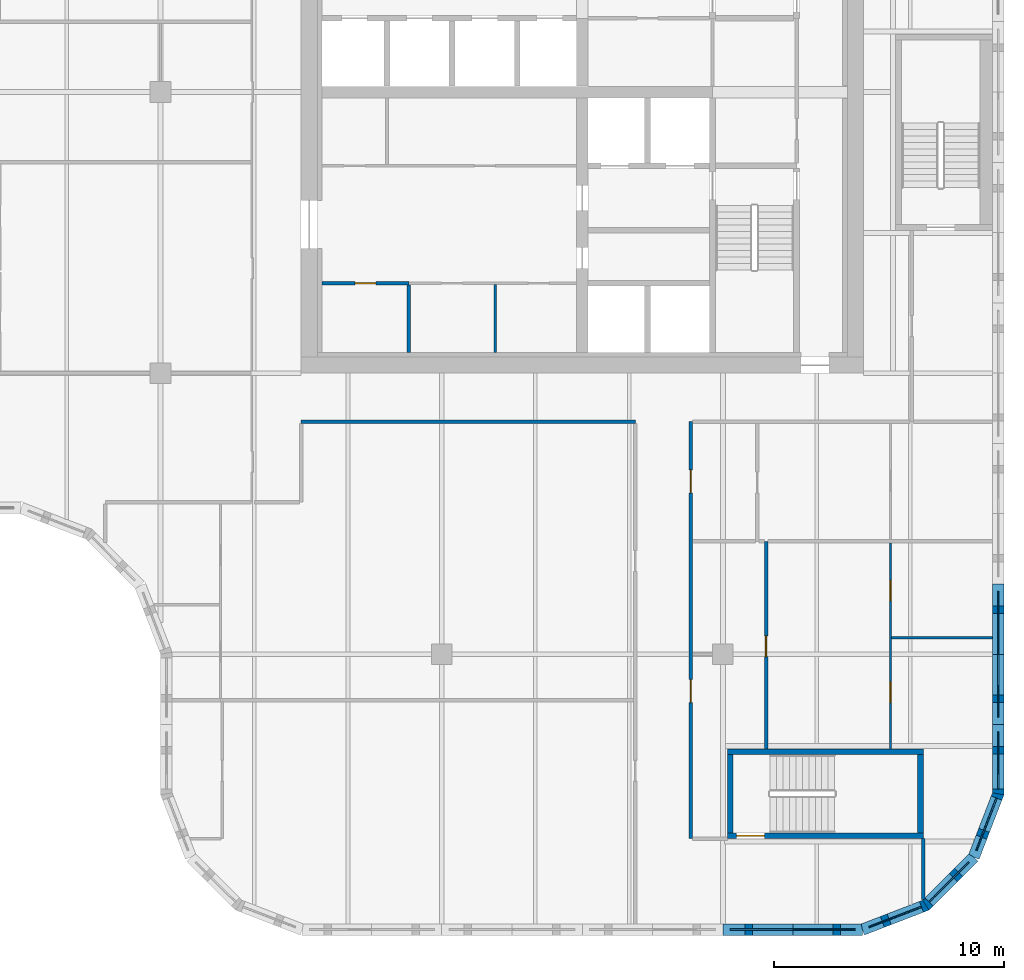
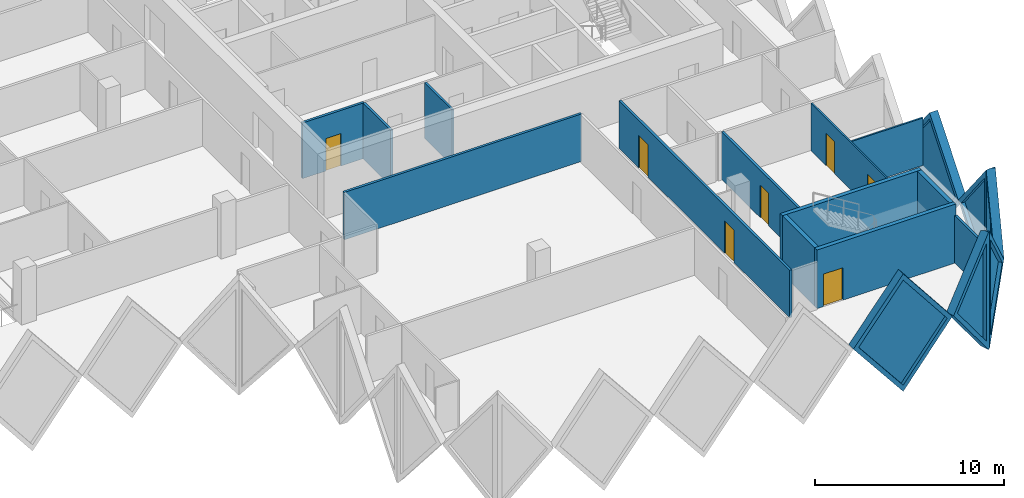
# One storey, part 5 of 12: 19 walls, 7 doors, 6 plates, 13 openings.
"""IFC4 building model written with IfcOpenShell, lengths in metres."""

from ifc_helpers import new_model, si_unit, direction, frame, frame_2d, origin, place, context, subcontext, project, spatial, polyline, rectangle, outline, extrude, faceted_brep, source, transform, mapped, material, layer, layer_set, type_object, element, fill, save


model = new_model("IFC4")

# Units and contexts
model_context = context("Model", 3, precision=1e-05, world=origin(), true_north=direction((0.0, 1.0)))
body_context = subcontext(model_context, "Body", "Model", "MODEL_VIEW")
ifc_project = project(units=[si_unit("LENGTHUNIT", "METRE"), si_unit("AREAUNIT", "SQUARE_METRE"), si_unit("VOLUMEUNIT", "CUBIC_METRE"), si_unit("PLANEANGLEUNIT", "RADIAN"), si_unit("MASSUNIT", "GRAM", prefix="KILO")], contexts=[model_context])

# Site, building, storey
site_placement = place(None, origin())
site = spatial("IfcSite", under=ifc_project, at=site_placement, CompositionType="ELEMENT")
building_placement = place(site_placement, origin())
building = spatial("IfcBuilding", under=site, at=building_placement, Name="Tessera Gate Towers", CompositionType="ELEMENT")
storey_placement = place(building_placement, frame((0.0, 0.0, 139.199951171875)))
storey = spatial("IfcBuildingStorey", under=building, at=storey_placement, Name="L34", CompositionType="ELEMENT", Elevation=139.199951171875)

# Wall, opening, door
ifc_material_1 = material(Name="Concrete C40/50", Category="concrete")
ifc_layer_1 = layer(ifc_material_1, 0.25)
ifc_layer_set_1 = layer_set([ifc_layer_1], Name="CORE ENCLOSURE WALL 250")
wall_type_1 = type_object("IfcWallType", Name="CORE ENCLOSURE WALL 250", PredefinedType="SOLIDWALL", material=ifc_layer_set_1)
wall_1_placement = place(storey_placement, frame((57.5, 4.324951171875, 0.0), z_axis=(0.0, 0.0, 1.0), x_axis=(-1.0, 0.0, 0.0)))
wall_1 = element("IfcWall", 1, at=wall_1_placement, inside=storey, type_object=wall_type_1, Name="L34 ST4 enclosure wall", PredefinedType="SOLIDWALL", context=body_context, shape_type="SweptSolid", body=[
    extrude(rectangle(XDim=8.5, YDim=0.25, at=frame_2d((4.25, 0.0))), origin(), (0.0, 0.0, 1.0), 3.800048828125),
])
shared_shape_1 = source(origin(), body_context, "Body", "SweptSolid", [
    extrude(rectangle(XDim=1.199951171875, YDim=2.10009765625, at=frame_2d((0.60009765625, 1.050048828125))), frame((0.0, 0.135009765625, 0.0), z_axis=(0.0, -1.0, 0.0), x_axis=(1.0, 0.0, 0.0)), (0.0, 0.0, 1.0), 0.27001953125),
])
opening_1_placement = place(wall_1_placement, frame((6.89990234375, 0.0, 0.0)))
opening_1 = element("IfcOpeningElement", 2, at=opening_1_placement, cuts=wall_1, Name="Opening SD-ST4-1", PredefinedType="OPENING", context=body_context, shape_type="MappedRepresentation", body=[
    mapped(shared_shape_1, transform((0.0, 0.0, 0.0), scale=1.0)),
])
ifc_material_2 = material(Name="Hollow steel fire door", Category="steel")
door_type_1 = type_object("IfcDoorType", Name="CORE DOOR SD 1200x2100", OperationType="NOTDEFINED", PredefinedType="DOOR", material=ifc_material_2)
shared_shape_2 = source(origin(), body_context, "Body", "SweptSolid", [
    extrude(rectangle(XDim=1.199951171875, YDim=2.10009765625, at=frame_2d((0.60009765625, 1.050048828125))), frame((0.0, 0.02490234375, 0.0), z_axis=(0.0, -1.0, 0.0), x_axis=(1.0, 0.0, 0.0)), (0.0, 0.0, 1.0), 0.050048828125),
])
door_1_placement = place(opening_1_placement, origin())
door_1 = element("IfcDoor", 3, at=door_1_placement, inside=storey, type_object=door_type_1, Name="Stair door", OperationType="SINGLE_SWING_RIGHT", OverallHeight=2.10009765625, OverallWidth=1.199951171875, PredefinedType="DOOR", context=body_context, shape_type="MappedRepresentation", body=[
    mapped(shared_shape_2, transform((0.0, 0.0, 0.0), scale=1.0)),
])
fill(opening_1, door_1)

# Walls
wall_2_placement = place(storey_placement, frame((49.125, 4.449951171875, 0.0), z_axis=(0.0, 0.0, 1.0), x_axis=(0.0, 1.0, 0.0)))
element("IfcWall", 4, at=wall_2_placement, inside=storey, type_object=wall_type_1, Name="L34 ST4 enclosure wall", PredefinedType="SOLIDWALL", context=body_context, shape_type="SweptSolid", body=[
    extrude(rectangle(XDim=3.400146484375, YDim=0.25, at=frame_2d((1.7001953125, 0.0))), origin(), (0.0, 0.0, 1.0), 3.800048828125),
])
wall_3_placement = place(storey_placement, frame((49.0, 7.97509765625, 0.0), z_axis=(0.0, 0.0, 1.0), x_axis=(1.0, 0.0, 0.0)))
element("IfcWall", 5, at=wall_3_placement, inside=storey, type_object=wall_type_1, Name="L34 ST4 enclosure wall", PredefinedType="SOLIDWALL", context=body_context, shape_type="SweptSolid", body=[
    extrude(rectangle(XDim=8.5, YDim=0.25, at=frame_2d((4.25, 0.0))), origin(), (0.0, 0.0, 1.0), 3.800048828125),
])
wall_4_placement = place(storey_placement, frame((57.375, 7.85009765625, 0.0), z_axis=(0.0, 0.0, 1.0), x_axis=(0.0, -1.0, 0.0)))
element("IfcWall", 6, at=wall_4_placement, inside=storey, type_object=wall_type_1, Name="L34 ST4 enclosure wall", PredefinedType="SOLIDWALL", context=body_context, shape_type="SweptSolid", body=[
    extrude(rectangle(XDim=3.400146484375, YDim=0.25, at=frame_2d((1.7001953125, 0.0))), origin(), (0.0, 0.0, 1.0), 3.800048828125),
])
ifc_material_3 = material(Name="Gypsum board on steel studs", Category="steel")
ifc_layer_2 = layer(ifc_material_3, 0.1201171875)
ifc_layer_set_2 = layer_set([ifc_layer_2], Name="CORE PARTITION 120")
wall_type_2 = type_object("IfcWallType", Name="CORE PARTITION 120", PredefinedType="PARTITIONING", material=ifc_layer_set_2)
wall_5_placement = place(storey_placement, frame((38.925048828125, 25.300048828125, 0.0), z_axis=(0.0, 0.0, 1.0), x_axis=(0.0, 1.0, 0.0)))
element("IfcWall", 7, at=wall_5_placement, inside=storey, type_object=wall_type_2, Name="L34 core partition", PredefinedType="PARTITIONING", context=body_context, shape_type="SweptSolid", body=[
    extrude(rectangle(XDim=2.93994140625, YDim=0.1201171875, at=frame_2d((1.469970703125, 0.0))), origin(), (0.0, 0.0, 1.0), 3.60009765625),
])
ifc_material_4 = material(Name="Gypsum board on steel studs, mineral wool", Category="steel")
ifc_layer_3 = layer(ifc_material_4, 0.14990234375)
ifc_layer_set_3 = layer_set([ifc_layer_3], Name="CORRIDOR WALL 150")
wall_type_3 = type_object("IfcWallType", Name="CORRIDOR WALL 150", PredefinedType="PARTITIONING", material=ifc_layer_set_3)
wall_6_placement = place(storey_placement, frame((57.5, 1.55908203125, 0.0), z_axis=(0.0, 0.0, 1.0), x_axis=(0.0, 1.0, 0.0)))
element("IfcWall", 8, at=wall_6_placement, inside=storey, type_object=wall_type_3, Name="T1-L34-PW-002", PredefinedType="PARTITIONING", context=body_context, shape_type="SweptSolid", body=[
    extrude(rectangle(XDim=2.640869140625, YDim=0.14990234375, at=frame_2d((1.3203125, 0.0))), origin(), (0.0, 0.0, 1.0), 3.067138671875),
])

# Wall, openings, doors
wall_7_placement = place(storey_placement, frame((47.39990234375, 22.300048828125, 0.0), z_axis=(0.0, 0.0, 1.0), x_axis=(0.0, -1.0, 0.0)))
wall_7 = element("IfcWall", 9, at=wall_7_placement, inside=storey, type_object=wall_type_3, Name="T1-L34-PW-005", PredefinedType="PARTITIONING", context=body_context, shape_type="SweptSolid", body=[
    extrude(rectangle(XDim=18.10009765625, YDim=0.14990234375, at=frame_2d((9.050048828125, 0.0))), origin(), (0.0, 0.0, 1.0), 3.067138671875),
])
shared_shape_3 = source(origin(), body_context, "Body", "SweptSolid", [
    extrude(rectangle(XDim=1.0, YDim=2.10009765625, at=frame_2d((0.5, 1.050048828125))), frame((0.0, 0.0849609375, 0.0), z_axis=(0.0, -1.0, 0.0), x_axis=(1.0, 0.0, 0.0)), (0.0, 0.0, 1.0), 0.169921875),
])
opening_2_placement = place(wall_7_placement, frame((2.09912109375, 0.0, 0.0)))
opening_2 = element("IfcOpeningElement", 10, at=opening_2_placement, cuts=wall_7, Name="Opening D2100FD60-A12-01", PredefinedType="OPENING", context=body_context, shape_type="MappedRepresentation", body=[
    mapped(shared_shape_3, transform((0.0, 0.0, 0.0), scale=1.0)),
])
opening_3_placement = place(wall_7_placement, frame((11.199951171875, 0.0, 0.0)))
opening_3 = element("IfcOpeningElement", 11, at=opening_3_placement, cuts=wall_7, Name="Opening D2100FD60-A12-04", PredefinedType="OPENING", context=body_context, shape_type="MappedRepresentation", body=[
    mapped(shared_shape_3, transform((0.0, 0.0, 0.0), scale=1.0)),
])
ifc_material_5 = material(Name="Timber door leaf in steel frame", Category="steel")
door_type_2 = type_object("IfcDoorType", Name="TENANCY ENTRANCE DOOR 1000 FD60", OperationType="NOTDEFINED", PredefinedType="DOOR", material=ifc_material_5)
shared_shape_4 = source(origin(), body_context, "Body", "SweptSolid", [
    extrude(rectangle(XDim=1.0, YDim=2.10009765625, at=frame_2d((0.5, 1.050048828125))), frame((0.0, 0.02490234375, 0.0), z_axis=(0.0, -1.0, 0.0), x_axis=(1.0, 0.0, 0.0)), (0.0, 0.0, 1.0), 0.050048828125),
])
door_2_placement = place(opening_2_placement, origin())
door_2 = element("IfcDoor", 12, at=door_2_placement, inside=storey, type_object=door_type_2, Name="T1-L34-PD-014", OperationType="SINGLE_SWING_RIGHT", OverallHeight=2.10009765625, OverallWidth=1.0, PredefinedType="DOOR", context=body_context, shape_type="MappedRepresentation", body=[
    mapped(shared_shape_4, transform((0.0, 0.0, 0.0), scale=1.0)),
])
fill(opening_2, door_2)
door_3_placement = place(opening_3_placement, origin())
door_3 = element("IfcDoor", 13, at=door_3_placement, inside=storey, type_object=door_type_2, Name="T1-L34-PD-031", OperationType="SINGLE_SWING_RIGHT", OverallHeight=2.10009765625, OverallWidth=1.0, PredefinedType="DOOR", context=body_context, shape_type="MappedRepresentation", body=[
    mapped(shared_shape_4, transform((0.0, 0.0, 0.0), scale=1.0)),
])
fill(opening_3, door_3)

# Wall
wall_8_placement = place(storey_placement, frame((30.5, 22.300048828125, 0.0), z_axis=(0.0, 0.0, 1.0), x_axis=(1.0, 0.0, 0.0)))
element("IfcWall", 14, at=wall_8_placement, inside=storey, type_object=wall_type_3, Name="T1-L34-PW-026", PredefinedType="PARTITIONING", context=body_context, shape_type="SweptSolid", body=[
    extrude(rectangle(XDim=14.5, YDim=0.14990234375, at=frame_2d((7.25, 0.0))), origin(), (0.0, 0.0, 1.0), 3.067138671875),
])

# Wall, openings, doors
ifc_material_6 = material(Name="Gypsum board on steel studs", Category="steel")
ifc_layer_4 = layer(ifc_material_6, 0.10009765625)
ifc_layer_set_4 = layer_set([ifc_layer_4], Name="PARTITION 100")
wall_type_4 = type_object("IfcWallType", Name="PARTITION 100", PredefinedType="PARTITIONING", material=ifc_layer_set_4)
wall_9_placement = place(storey_placement, frame((56.076904296875, 17.02392578125, 0.0), z_axis=(0.0, 0.0, 1.0), x_axis=(0.0, -1.0, 0.0)))
wall_9 = element("IfcWall", 15, at=wall_9_placement, inside=storey, type_object=wall_type_4, Name="T1-L34-PW-008", PredefinedType="PARTITIONING", context=body_context, shape_type="SweptSolid", body=[
    extrude(rectangle(XDim=8.923828125, YDim=0.10009765625, at=frame_2d((4.4619140625, 0.0))), origin(), (0.0, 0.0, 1.0), 3.067138671875),
])
shared_shape_5 = source(origin(), body_context, "Body", "SweptSolid", [
    extrude(rectangle(XDim=0.89990234375, YDim=2.10009765625, at=frame_2d((0.449951171875, 1.050048828125))), frame((0.0, 0.06005859375, 0.0), z_axis=(0.0, -1.0, 0.0), x_axis=(1.0, 0.0, 0.0)), (0.0, 0.0, 1.0), 0.1201171875),
])
opening_4_placement = place(wall_9_placement, frame((1.60791015625, 0.0, 0.0)))
opening_4 = element("IfcOpeningElement", 16, at=opening_4_placement, cuts=wall_9, Name="Opening D190-A12-02", PredefinedType="OPENING", context=body_context, shape_type="MappedRepresentation", body=[
    mapped(shared_shape_5, transform((0.0, 0.0, 0.0), scale=1.0)),
])
opening_5_placement = place(wall_9_placement, frame((6.02392578125, 0.0, 0.0)))
opening_5 = element("IfcOpeningElement", 17, at=opening_5_placement, cuts=wall_9, Name="Opening D190-A12-08", PredefinedType="OPENING", context=body_context, shape_type="MappedRepresentation", body=[
    mapped(shared_shape_5, transform((0.0, 0.0, 0.0), scale=1.0)),
])
ifc_material_7 = material(Name="Timber door leaf in steel frame", Category="steel")
door_type_3 = type_object("IfcDoorType", Name="INTERNAL DOOR 900 NOT RATED", OperationType="NOTDEFINED", PredefinedType="DOOR", material=ifc_material_7)
shared_shape_6 = source(origin(), body_context, "Body", "SweptSolid", [
    extrude(rectangle(XDim=0.89990234375, YDim=2.10009765625, at=frame_2d((0.449951171875, 1.050048828125))), frame((0.0, 0.02490234375, 0.0), z_axis=(0.0, -1.0, 0.0), x_axis=(1.0, 0.0, 0.0)), (0.0, 0.0, 1.0), 0.050048828125),
])
door_4_placement = place(opening_4_placement, origin())
door_4 = element("IfcDoor", 18, at=door_4_placement, inside=storey, type_object=door_type_3, Name="T1-L34-PD-003", OperationType="SINGLE_SWING_RIGHT", OverallHeight=2.10009765625, OverallWidth=0.89990234375, PredefinedType="DOOR", context=body_context, shape_type="MappedRepresentation", body=[
    mapped(shared_shape_6, transform((0.0, 0.0, 0.0), scale=1.0)),
])
fill(opening_4, door_4)
door_5_placement = place(opening_5_placement, origin())
door_5 = element("IfcDoor", 19, at=door_5_placement, inside=storey, type_object=door_type_3, Name="T1-L34-PD-011", OperationType="SINGLE_SWING_RIGHT", OverallHeight=2.10009765625, OverallWidth=0.89990234375, PredefinedType="DOOR", context=body_context, shape_type="MappedRepresentation", body=[
    mapped(shared_shape_6, transform((0.0, 0.0, 0.0), scale=1.0)),
])
fill(opening_5, door_5)

# Wall
wall_10_placement = place(storey_placement, frame((56.1279296875, 12.9150390625, 0.0), z_axis=(0.0, 0.0, 1.0), x_axis=(1.0, 0.0, 0.0)))
element("IfcWall", 20, at=wall_10_placement, inside=storey, type_object=wall_type_4, Name="T1-L34-PW-013", PredefinedType="PARTITIONING", context=body_context, shape_type="SweptSolid", body=[
    extrude(rectangle(XDim=4.3720703125, YDim=0.10009765625, at=frame_2d((2.18603515625, 0.0))), origin(), (0.0, 0.0, 1.0), 3.067138671875),
])

# Wall, opening, door
ifc_material_8 = material(Name="Gypsum board on steel studs", Category="steel")
ifc_layer_5 = layer(ifc_material_8, 0.14990234375)
ifc_layer_set_5 = layer_set([ifc_layer_5], Name="SERVICE ROOM WALL 150")
wall_type_5 = type_object("IfcWallType", Name="SERVICE ROOM WALL 150", PredefinedType="PARTITIONING", material=ifc_layer_set_5)
wall_11_placement = place(storey_placement, frame((35.175048828125, 28.300048828125, 0.0), z_axis=(0.0, 0.0, 1.0), x_axis=(-1.0, 0.0, 0.0)))
wall_11 = element("IfcWall", 21, at=wall_11_placement, inside=storey, type_object=wall_type_5, Name="L34 service room wall", PredefinedType="PARTITIONING", context=body_context, shape_type="SweptSolid", body=[
    extrude(rectangle(XDim=3.775146484375, YDim=0.14990234375, at=frame_2d((1.8876953125, 0.0))), origin(), (0.0, 0.0, 1.0), 3.60009765625),
])
shared_shape_7 = source(origin(), body_context, "Body", "SweptSolid", [
    extrude(rectangle(XDim=0.89990234375, YDim=2.10009765625, at=frame_2d((0.449951171875, 1.050048828125))), frame((0.0, 0.0849609375, 0.0), z_axis=(0.0, -1.0, 0.0), x_axis=(1.0, 0.0, 0.0)), (0.0, 0.0, 1.0), 0.169921875),
])
opening_6_placement = place(wall_11_placement, frame((1.4375, 0.0, 0.0)))
opening_6 = element("IfcOpeningElement", 22, at=opening_6_placement, cuts=wall_11, Name="Opening RD-T1-23-13", PredefinedType="OPENING", context=body_context, shape_type="MappedRepresentation", body=[
    mapped(shared_shape_7, transform((0.0, 0.0, 0.0), scale=1.0)),
])
ifc_material_9 = material(Name="Hollow steel fire door", Category="steel")
door_type_4 = type_object("IfcDoorType", Name="CORE DOOR RD 900x2100", OperationType="NOTDEFINED", PredefinedType="DOOR", material=ifc_material_9)
door_6_placement = place(opening_6_placement, origin())
door_6 = element("IfcDoor", 23, at=door_6_placement, inside=storey, type_object=door_type_4, Name="Core room door", OperationType="SINGLE_SWING_LEFT", OverallHeight=2.10009765625, OverallWidth=0.89990234375, PredefinedType="DOOR", context=body_context, shape_type="MappedRepresentation", body=[
    mapped(shared_shape_6, transform((0.0, 0.0, 0.0), scale=1.0)),
])
fill(opening_6, door_6)

# Wall
wall_12_placement = place(storey_placement, frame((35.175048828125, 25.300048828125, 0.0), z_axis=(0.0, 0.0, 1.0), x_axis=(0.0, 1.0, 0.0)))
element("IfcWall", 24, at=wall_12_placement, inside=storey, type_object=wall_type_5, Name="L34 service room wall", PredefinedType="PARTITIONING", context=body_context, shape_type="SweptSolid", body=[
    extrude(rectangle(XDim=2.925048828125, YDim=0.14990234375, at=frame_2d((1.46240234375, 0.0))), origin(), (0.0, 0.0, 1.0), 3.60009765625),
])

# Wall, opening, door
ifc_material_10 = material(Name="Gypsum board on steel studs, mineral wool", Category="steel")
ifc_layer_6 = layer(ifc_material_10, 0.14990234375)
ifc_layer_set_6 = layer_set([ifc_layer_6], Name="TENANCY WALL 150")
wall_type_6 = type_object("IfcWallType", Name="TENANCY WALL 150", PredefinedType="PARTITIONING", material=ifc_layer_set_6)
wall_13_placement = place(storey_placement, frame((50.675048828125, 17.10009765625, 0.0), z_axis=(0.0, 0.0, 1.0), x_axis=(0.0, -1.0, 0.0)))
wall_13 = element("IfcWall", 25, at=wall_13_placement, inside=storey, type_object=wall_type_6, Name="T1-L34-PW-007", PredefinedType="PARTITIONING", context=body_context, shape_type="SweptSolid", body=[
    extrude(rectangle(XDim=9.0, YDim=0.14990234375, at=frame_2d((4.5, 0.0))), origin(), (0.0, 0.0, 1.0), 3.067138671875),
])
opening_7_placement = place(wall_13_placement, frame((4.10009765625, 0.0, 0.0)))
opening_7 = element("IfcOpeningElement", 26, at=opening_7_placement, cuts=wall_13, Name="Opening D190-A12-15", PredefinedType="OPENING", context=body_context, shape_type="MappedRepresentation", body=[
    mapped(shared_shape_7, transform((0.0, 0.0, 0.0), scale=1.0)),
])
door_7_placement = place(opening_7_placement, origin())
door_7 = element("IfcDoor", 27, at=door_7_placement, inside=storey, type_object=door_type_3, Name="T1-L34-PD-026", OperationType="SINGLE_SWING_RIGHT", OverallHeight=2.10009765625, OverallWidth=0.89990234375, PredefinedType="DOOR", context=body_context, shape_type="MappedRepresentation", body=[
    mapped(shared_shape_6, transform((0.0, 0.0, 0.0), scale=1.0)),
])
fill(opening_7, door_7)

# Wall, opening, plate
ifc_material_11 = material(Name="Precast concrete C60/75 white", Category="concrete")
ifc_layer_7 = layer(ifc_material_11, 0.5)
ifc_layer_set_7 = layer_set([ifc_layer_7], Name="TS1 tessera")
wall_type_7 = type_object("IfcWallType", Name="TS1 tessera", PredefinedType="SOLIDWALL", material=ifc_layer_set_7)
shared_shape_8 = source(origin(), body_context, "Body", "SweptSolid", [
    extrude(outline(polyline([(3.050048828125, 0.0), (6.10009765625, 3.800048828125), (3.050048828125, 7.60009765625), (0.0, 3.800048828125), (3.050048828125, 0.0)])), frame((0.0, 0.25, 0.0), z_axis=(0.0, -1.0, 0.0), x_axis=(1.0, 0.0, 0.0)), (0.0, 0.0, 1.0), 0.5),
])
wall_14_placement = place(storey_placement, frame((60.75, 9.14990234375, -3.800048828125), z_axis=(0.0, 0.0, 1.0), x_axis=(0.0, 1.0, 0.0)))
wall_14 = element("IfcWall", 28, at=wall_14_placement, inside=storey, type_object=wall_type_7, Name="Precast tessera T1 TS1-0579", PredefinedType="SOLIDWALL", context=body_context, shape_type="MappedRepresentation", body=[
    mapped(shared_shape_8, transform((0.0, 0.0, 0.0), scale=1.0)),
])
shared_shape_9 = source(origin(), body_context, "Body", "SweptSolid", [
    extrude(outline(polyline([(3.050048828125, 0.3994140625), (5.779541015625, 3.800048828125), (3.050048828125, 7.20068359375), (0.320556640625, 3.800048828125), (3.050048828125, 0.3994140625)])), frame((0.0, 0.260009765625, 0.0), z_axis=(0.0, -1.0, 0.0), x_axis=(1.0, 0.0, 0.0)), (0.0, 0.0, 1.0), 0.52001953125),
])
opening_8_placement = place(wall_14_placement, origin())
opening_8 = element("IfcOpeningElement", 29, at=opening_8_placement, cuts=wall_14, Name="Opening T1-PL2-1183", PredefinedType="OPENING", context=body_context, shape_type="MappedRepresentation", body=[
    mapped(shared_shape_9, transform((0.0, 0.0, 0.0), scale=1.0)),
])
ifc_material_12 = material(Name="Low-e laminated glass", Category="glass")
ifc_layer_8 = layer(ifc_material_12, 0.06005859375)
ifc_layer_set_8 = layer_set([ifc_layer_8], Name="PL2 rhombic pane")
plate_type = type_object("IfcPlateType", Name="PL2 rhombic pane", PredefinedType="SHEET", material=ifc_layer_set_8)
shared_shape_10 = source(origin(), body_context, "Body", "SweptSolid", [
    extrude(outline(polyline([(3.050048828125, 0.3994140625), (5.779541015625, 3.800048828125), (3.050048828125, 7.20068359375), (0.320556640625, 3.800048828125), (3.050048828125, 0.3994140625)])), frame((0.0, 0.030029296875, 0.0), z_axis=(0.0, -1.0, 0.0), x_axis=(1.0, 0.0, 0.0)), (0.0, 0.0, 1.0), 0.06005859375),
])
plate_1_placement = place(opening_8_placement, origin())
plate_1 = element("IfcPlate", 30, at=plate_1_placement, inside=storey, type_object=plate_type, Name="Glass pane T1 PL2-1183", PredefinedType="SHEET", context=body_context, shape_type="MappedRepresentation", body=[
    mapped(shared_shape_10, transform((0.0, 0.0, 0.0), scale=1.0)),
])
fill(opening_8, plate_1)

shared_shape_11 = source(origin(), body_context, "Body", "Brep", [
    faceted_brep([(3.050048828125, -0.25, 0.0), (6.053466796875, -0.25, 3.800048828125), (3.050048828125, -0.25, 7.60009765625), (0.0, -0.25, 3.800048828125), (0.0, 0.25, 3.800048828125), (3.050048828125, 0.25, 7.60009765625), (6.0068359375, 0.25, 3.85888671875), (6.0068359375, 0.25, 3.7412109375), (3.050048828125, 0.25, 0.0), (6.053466796875, 0.0, 3.800048828125)], [[[0, 1, 2, 3]], [[4, 5, 6, 7, 8]], [[8, 7, 9, 1, 0]], [[6, 5, 2, 1, 9]], [[5, 4, 3, 2]], [[4, 8, 0, 3]], [[9, 7, 6]]]),
])
wall_15_placement = place(storey_placement, frame((48.800048828125, 0.25, -3.800048828125), z_axis=(0.0, 0.0, 1.0), x_axis=(1.0, 0.0, 0.0)))
wall_15 = element("IfcWall", 31, at=wall_15_placement, inside=storey, type_object=wall_type_7, Name="Precast tessera T1 TS1-0578", PredefinedType="SOLIDWALL", context=body_context, shape_type="MappedRepresentation", body=[
    mapped(shared_shape_11, transform((0.0, 0.0, 0.0), scale=1.0)),
])
shared_shape_12 = source(origin(), body_context, "Body", "SweptSolid", [
    extrude(outline(polyline([(3.048583984375, 0.4013671875), (5.73486328125, 3.800048828125), (3.048583984375, 7.19873046875), (0.320556640625, 3.800048828125), (3.048583984375, 0.4013671875)])), frame((0.0, 0.260009765625, 0.0), z_axis=(0.0, -1.0, 0.0), x_axis=(1.0, 0.0, 0.0)), (0.0, 0.0, 1.0), 0.52001953125),
])
opening_9_placement = place(wall_15_placement, origin())
opening_9 = element("IfcOpeningElement", 32, at=opening_9_placement, cuts=wall_15, Name="Opening T1-PL2-1178", PredefinedType="OPENING", context=body_context, shape_type="MappedRepresentation", body=[
    mapped(shared_shape_12, transform((0.0, 0.0, 0.0), scale=1.0)),
])
shared_shape_13 = source(origin(), body_context, "Body", "SweptSolid", [
    extrude(outline(polyline([(3.048583984375, 0.4013671875), (5.73486328125, 3.800048828125), (3.048583984375, 7.19873046875), (0.320556640625, 3.800048828125), (3.048583984375, 0.4013671875)])), frame((0.0, 0.030029296875, 0.0), z_axis=(0.0, -1.0, 0.0), x_axis=(1.0, 0.0, 0.0)), (0.0, 0.0, 1.0), 0.06005859375),
])
plate_2_placement = place(opening_9_placement, origin())
plate_2 = element("IfcPlate", 33, at=plate_2_placement, inside=storey, type_object=plate_type, Name="Glass pane T1 PL2-1178", PredefinedType="SHEET", context=body_context, shape_type="MappedRepresentation", body=[
    mapped(shared_shape_13, transform((0.0, 0.0, 0.0), scale=1.0)),
])
fill(opening_9, plate_2)

ifc_material_13 = material(Name="Precast concrete C60/75 white", Category="concrete")
ifc_layer_9 = layer(ifc_material_13, 0.5)
ifc_layer_set_9 = layer_set([ifc_layer_9], Name="TS3 corner tessera")
wall_type_8 = type_object("IfcWallType", Name="TS3 corner tessera", PredefinedType="SOLIDWALL", material=ifc_layer_set_9)
shared_shape_14 = source(origin(), body_context, "Body", "Brep", [
    faceted_brep([(2.950439453125, -0.25, 0.0), (3.00341796875, -0.25, 0.068359375), (3.00341796875, -0.25, 7.53173828125), (2.950439453125, -0.25, 7.60009765625), (0.0, -0.25, 3.800048828125), (0.046630859375, 0.25, 3.860107421875), (2.897705078125, 0.25, 7.531982421875), (2.897705078125, 0.25, 0.068115234375), (0.046630859375, 0.25, 3.739990234375), (2.950439453125, 0.00048828125, 0.0), (2.950439453125, 0.00048828125, 7.60009765625), (0.0, 0.0, 3.800048828125)], [[[0, 1, 2, 3, 4]], [[5, 6, 7, 8]], [[1, 0, 9]], [[10, 3, 2]], [[6, 5, 11, 4, 3, 10]], [[8, 7, 9, 0, 4, 11]], [[8, 11, 5]], [[1, 9, 7, 6, 10, 2]]]),
])
wall_16_placement = place(storey_placement, frame((54.853515625, 0.25, -3.800048828125), z_axis=(0.0, 0.0, 1.0), x_axis=(0.932970071518, 0.359953949349, 0.0)))
wall_16 = element("IfcWall", 34, at=wall_16_placement, inside=storey, type_object=wall_type_8, Name="Precast corner tessera T1 TS3-0769", PredefinedType="SOLIDWALL", context=body_context, shape_type="MappedRepresentation", body=[
    mapped(shared_shape_14, transform((0.0, 0.0, 0.0), scale=1.0)),
])
shared_shape_15 = source(origin(), body_context, "Body", "SweptSolid", [
    extrude(outline(polyline([(2.75048828125, 6.934814453125), (0.31640625, 3.800048828125), (2.75048828125, 0.665283203125), (2.75048828125, 6.934814453125)])), frame((0.0, 0.260009765625, 0.0), z_axis=(0.0, -1.0, 0.0), x_axis=(1.0, 0.0, 0.0)), (0.0, 0.0, 1.0), 0.52001953125),
])
opening_10_placement = place(wall_16_placement, origin())
opening_10 = element("IfcOpeningElement", 35, at=opening_10_placement, cuts=wall_16, Name="Opening T1-PL2-1179", PredefinedType="OPENING", context=body_context, shape_type="MappedRepresentation", body=[
    mapped(shared_shape_15, transform((0.0, 0.0, 0.0), scale=1.0)),
])
shared_shape_16 = source(origin(), body_context, "Body", "SweptSolid", [
    extrude(outline(polyline([(2.75048828125, 6.934814453125), (0.31640625, 3.800048828125), (2.75048828125, 0.665283203125), (2.75048828125, 6.934814453125)])), frame((0.0, 0.030029296875, 0.0), z_axis=(0.0, -1.0, 0.0), x_axis=(1.0, 0.0, 0.0)), (0.0, 0.0, 1.0), 0.06005859375),
])
plate_3_placement = place(opening_10_placement, origin())
plate_3 = element("IfcPlate", 36, at=plate_3_placement, inside=storey, type_object=plate_type, Name="Glass pane T1 PL2-1179", PredefinedType="SHEET", context=body_context, shape_type="MappedRepresentation", body=[
    mapped(shared_shape_16, transform((0.0, 0.0, 0.0), scale=1.0)),
])
fill(opening_10, plate_3)

shared_shape_17 = source(origin(), body_context, "Body", "Brep", [
    faceted_brep([(0.052978515625, -0.25, 0.0), (2.9970703125, -0.25, 3.800048828125), (0.052978515625, -0.25, 7.60009765625), (0.0, -0.25, 7.531982421875), (0.0, -0.25, 0.068115234375), (0.10595703125, 0.25, 7.53173828125), (2.944091796875, 0.25, 3.8681640625), (2.944091796875, 0.25, 3.73193359375), (0.10595703125, 0.25, 0.068359375), (2.9970703125, 0.000244140625, 3.800048828125), (0.052978515625, 0.0, 0.0), (0.052978515625, 0.0, 7.60009765625)], [[[0, 1, 2, 3, 4]], [[5, 6, 7, 8]], [[8, 7, 9, 1, 0, 10]], [[6, 5, 11, 2, 1, 9]], [[3, 2, 11]], [[10, 0, 4]], [[8, 10, 4, 3, 11, 5]], [[9, 7, 6]]]),
])
wall_17_placement = place(storey_placement, frame((57.56884765625, 1.2744140625, -3.800048828125), z_axis=(0.0, 0.0, 1.0), x_axis=(0.707066050402, 0.707147509625, 0.0)))
wall_17 = element("IfcWall", 37, at=wall_17_placement, inside=storey, type_object=wall_type_8, Name="Precast corner tessera T1 TS3-0770", PredefinedType="SOLIDWALL", context=body_context, shape_type="MappedRepresentation", body=[
    mapped(shared_shape_17, transform((0.0, 0.0, 0.0), scale=1.0)),
])
shared_shape_18 = source(origin(), body_context, "Body", "SweptSolid", [
    extrude(outline(polyline([(0.2529296875, 0.66650390625), (2.680908203125, 3.800048828125), (0.2529296875, 6.933837890625), (0.2529296875, 0.66650390625)])), frame((0.0, 0.260009765625, 0.0), z_axis=(0.0, -1.0, 0.0), x_axis=(1.0, 0.0, 0.0)), (0.0, 0.0, 1.0), 0.52001953125),
])
opening_11_placement = place(wall_17_placement, origin())
opening_11 = element("IfcOpeningElement", 38, at=opening_11_placement, cuts=wall_17, Name="Opening T1-PL2-1180", PredefinedType="OPENING", context=body_context, shape_type="MappedRepresentation", body=[
    mapped(shared_shape_18, transform((0.0, 0.0, 0.0), scale=1.0)),
])
shared_shape_19 = source(origin(), body_context, "Body", "SweptSolid", [
    extrude(outline(polyline([(0.2529296875, 0.66650390625), (2.680908203125, 3.800048828125), (0.2529296875, 6.933837890625), (0.2529296875, 0.66650390625)])), frame((0.0, 0.030029296875, 0.0), z_axis=(0.0, -1.0, 0.0), x_axis=(1.0, 0.0, 0.0)), (0.0, 0.0, 1.0), 0.06005859375),
])
plate_4_placement = place(opening_11_placement, origin())
plate_4 = element("IfcPlate", 39, at=plate_4_placement, inside=storey, type_object=plate_type, Name="Glass pane T1 PL2-1180", PredefinedType="SHEET", context=body_context, shape_type="MappedRepresentation", body=[
    mapped(shared_shape_19, transform((0.0, 0.0, 0.0), scale=1.0)),
])
fill(opening_11, plate_4)

shared_shape_20 = source(origin(), body_context, "Body", "Brep", [
    faceted_brep([(2.950439453125, -0.25, 0.0), (2.9970703125, -0.25, 0.05908203125), (2.9970703125, -0.25, 7.541015625), (2.950439453125, -0.25, 7.60009765625), (0.0, -0.25, 3.800048828125), (0.052978515625, 0.25, 3.8681640625), (2.904052734375, 0.25, 7.540283203125), (2.904052734375, 0.25, 0.059814453125), (0.052978515625, 0.25, 3.73193359375), (2.950439453125, 0.00048828125, 0.0), (2.950439453125, 0.00048828125, 7.60009765625), (0.0, 0.0, 3.800048828125)], [[[0, 1, 2, 3, 4]], [[5, 6, 7, 8]], [[1, 0, 9]], [[10, 3, 2]], [[6, 5, 11, 4, 3, 10]], [[8, 7, 9, 0, 4, 11]], [[8, 11, 5]], [[1, 9, 7, 6, 10, 2]]]),
])
wall_18_placement = place(storey_placement, frame((59.68798828125, 3.393798828125, -3.800048828125), z_axis=(0.0, 0.0, 1.0), x_axis=(0.359972353723, 0.932962970624, 0.0)))
wall_18 = element("IfcWall", 40, at=wall_18_placement, inside=storey, type_object=wall_type_8, Name="Precast corner tessera T1 TS3-0771", PredefinedType="SOLIDWALL", context=body_context, shape_type="MappedRepresentation", body=[
    mapped(shared_shape_20, transform((0.0, 0.0, 0.0), scale=1.0)),
])
opening_12_placement = place(wall_18_placement, origin())
opening_12 = element("IfcOpeningElement", 41, at=opening_12_placement, cuts=wall_18, Name="Opening T1-PL2-1181", PredefinedType="OPENING", context=body_context, shape_type="MappedRepresentation", body=[
    mapped(shared_shape_15, transform((0.0, 0.0, 0.0), scale=1.0)),
])
plate_5_placement = place(opening_12_placement, origin())
plate_5 = element("IfcPlate", 42, at=plate_5_placement, inside=storey, type_object=plate_type, Name="Glass pane T1 PL2-1181", PredefinedType="SHEET", context=body_context, shape_type="MappedRepresentation", body=[
    mapped(shared_shape_16, transform((0.0, 0.0, 0.0), scale=1.0)),
])
fill(opening_12, plate_5)

shared_shape_21 = source(origin(), body_context, "Body", "Brep", [
    faceted_brep([(0.046630859375, -0.25, 0.0), (3.050048828125, -0.25, 3.800048828125), (0.046630859375, -0.25, 7.60009765625), (0.0, -0.25, 7.5400390625), (0.0, -0.25, 0.06005859375), (0.09326171875, 0.25, 7.541259765625), (3.050048828125, 0.25, 3.800048828125), (0.09326171875, 0.25, 0.058837890625), (0.046630859375, 0.0, 0.0), (0.046630859375, 0.0, 7.60009765625)], [[[0, 1, 2, 3, 4]], [[5, 6, 7]], [[7, 6, 1, 0, 8]], [[6, 5, 9, 2, 1]], [[3, 2, 9]], [[8, 0, 4]], [[7, 8, 4, 3, 9, 5]]]),
])
wall_19_placement = place(storey_placement, frame((60.75, 6.099853515625, -3.800048828125), z_axis=(0.0, 0.0, 1.0), x_axis=(0.0, 1.0, 0.0)))
wall_19 = element("IfcWall", 43, at=wall_19_placement, inside=storey, type_object=wall_type_8, Name="Precast corner tessera T1 TS3-0772", PredefinedType="SOLIDWALL", context=body_context, shape_type="MappedRepresentation", body=[
    mapped(shared_shape_21, transform((0.0, 0.0, 0.0), scale=1.0)),
])
shared_shape_22 = source(origin(), body_context, "Body", "SweptSolid", [
    extrude(outline(polyline([(0.24658203125, 0.65625), (2.7314453125, 3.800048828125), (0.24658203125, 6.94384765625), (0.24658203125, 0.65625)])), frame((0.0, 0.260009765625, 0.0), z_axis=(0.0, -1.0, 0.0), x_axis=(1.0, 0.0, 0.0)), (0.0, 0.0, 1.0), 0.52001953125),
])
opening_13_placement = place(wall_19_placement, origin())
opening_13 = element("IfcOpeningElement", 44, at=opening_13_placement, cuts=wall_19, Name="Opening T1-PL2-1182", PredefinedType="OPENING", context=body_context, shape_type="MappedRepresentation", body=[
    mapped(shared_shape_22, transform((0.0, 0.0, 0.0), scale=1.0)),
])
shared_shape_23 = source(origin(), body_context, "Body", "SweptSolid", [
    extrude(outline(polyline([(0.24658203125, 0.65625), (2.7314453125, 3.800048828125), (0.24658203125, 6.94384765625), (0.24658203125, 0.65625)])), frame((0.0, 0.030029296875, 0.0), z_axis=(0.0, -1.0, 0.0), x_axis=(1.0, 0.0, 0.0)), (0.0, 0.0, 1.0), 0.06005859375),
])
plate_6_placement = place(opening_13_placement, origin())
plate_6 = element("IfcPlate", 45, at=plate_6_placement, inside=storey, type_object=plate_type, Name="Glass pane T1 PL2-1182", PredefinedType="SHEET", context=body_context, shape_type="MappedRepresentation", body=[
    mapped(shared_shape_23, transform((0.0, 0.0, 0.0), scale=1.0)),
])
fill(opening_13, plate_6)

save(model, "model.ifc")
